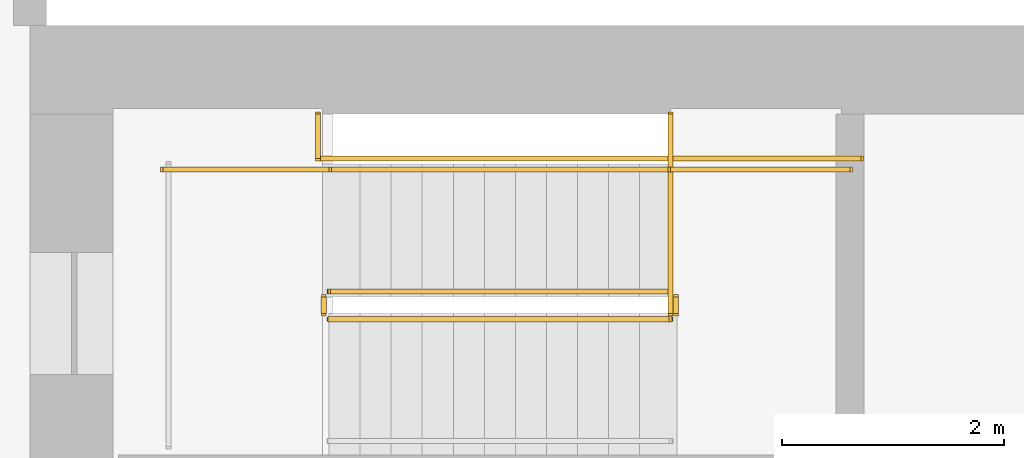
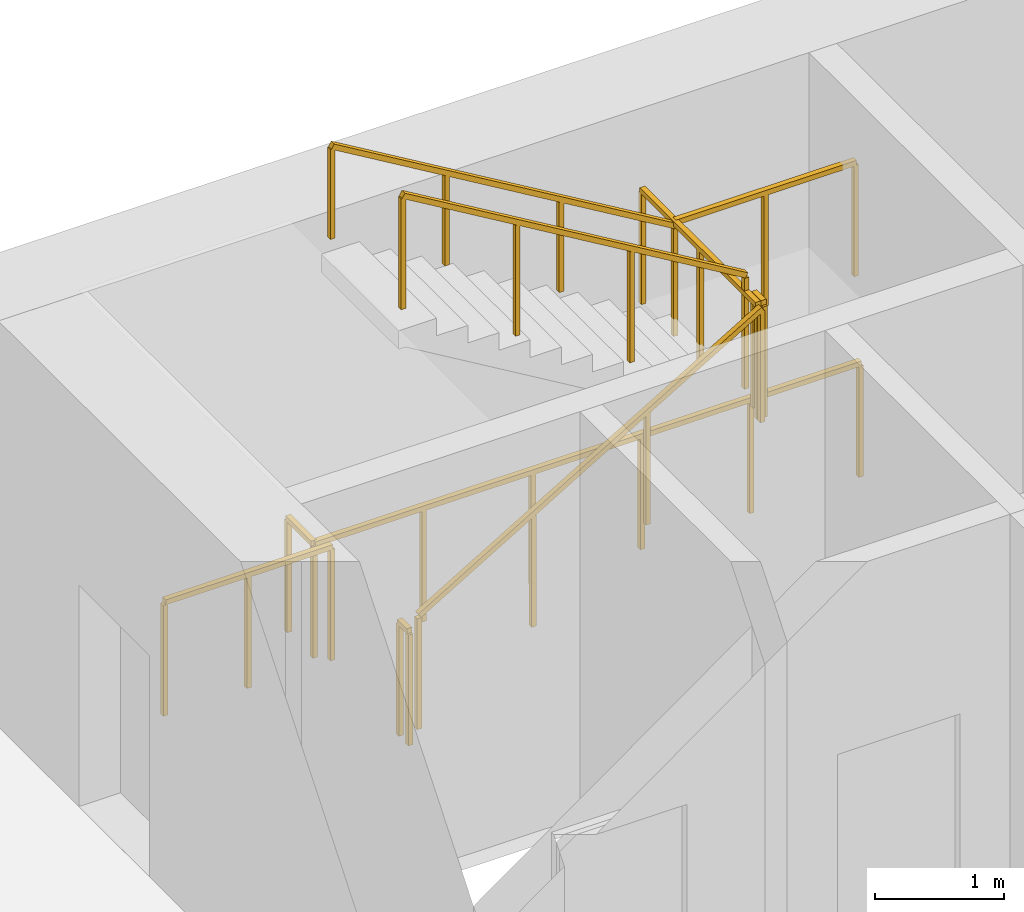
# One storey, part 12 of 12: 10 railings.
"""IFC4 building model written with IfcOpenShell, lengths in metres."""

from ifc_helpers import new_model, si_unit, direction, frame, origin, origin_2d, place, context, subcontext, project, spatial, rectangle, extrude, material, type_object, element, save


model = new_model("IFC4")

# Units and contexts
model_context = context("Model", 3, precision=1e-05, world=origin(), true_north=direction((0.0, 1.0)))
body_context = subcontext(model_context, "Body", "Model", "MODEL_VIEW")
ifc_project = project(units=[si_unit("LENGTHUNIT", "METRE"), si_unit("AREAUNIT", "SQUARE_METRE"), si_unit("VOLUMEUNIT", "CUBIC_METRE"), si_unit("PLANEANGLEUNIT", "RADIAN"), si_unit("MASSUNIT", "GRAM", prefix="KILO")], contexts=[model_context])

# Site, building, storey
site_placement = place(None, origin())
site = spatial("IfcSite", under=ifc_project, at=site_placement, CompositionType="ELEMENT")
building_placement = place(site_placement, origin())
building = spatial("IfcBuilding", under=site, at=building_placement, Name="Sennacour Bend Tower", CompositionType="ELEMENT")
storey_placement = place(building_placement, frame((0.0, 0.0, 269.0)))
storey = spatial("IfcBuildingStorey", under=building, at=storey_placement, Name="L62", CompositionType="ELEMENT", Elevation=269.0)

# Railings
ifc_material = material(Name="Stainless steel", Category="steel")
railing_type_1 = type_object("IfcRailingType", Name="RL-GUARD-1100", PredefinedType="GUARDRAIL", material=ifc_material)
railing_1_placement = place(storey_placement, frame((56.699951171875, 19.85009765625, 0.166748046875)))
element("IfcRailing", 1, at=railing_1_placement, inside=storey, type_object=railing_type_1, Name="L62 SA2 stair guard 1", PredefinedType="GUARDRAIL", context=body_context, shape_type="SweptSolid", body=[
    extrude(rectangle(XDim=0.048095703125, YDim=0.048095703125, at=origin_2d()), frame((0.0, 0.0, 1.076171875), z_axis=(0.859308565015, 0.0, 0.511457515432), x_axis=(0.0, 1.0, 0.0)), (0.0, 0.0, 1.0), 3.58447265625),
    extrude(rectangle(XDim=0.0419921875, YDim=0.0419921875, at=origin_2d()), origin(), (0.0, 0.0, 1.0), 1.052001953125),
    extrude(rectangle(XDim=0.0419921875, YDim=0.0419921875, at=origin_2d()), frame((1.026611328125, 0.0, 0.611083984375)), (0.0, 0.0, 1.0), 1.052001953125),
    extrude(rectangle(XDim=0.0419921875, YDim=0.0419921875, at=origin_2d()), frame((2.053466796875, 0.0, 1.22216796875)), (0.0, 0.0, 1.0), 1.052001953125),
    extrude(rectangle(XDim=0.0419921875, YDim=0.0419921875, at=origin_2d()), frame((3.080078125, 0.0, 1.833251953125)), (0.0, 0.0, 1.0), 1.052001953125),
])
railing_2_placement = place(storey_placement, frame((59.830078125, 19.89990234375, 2.0)))
element("IfcRailing", 2, at=railing_2_placement, inside=storey, type_object=railing_type_1, Name="L62 SA2 stair guard 2", PredefinedType="GUARDRAIL", context=body_context, shape_type="SweptSolid", body=[
    extrude(rectangle(XDim=0.048095703125, YDim=0.048095703125, at=origin_2d()), frame((0.0, 0.0, 1.076171875), z_axis=(0.0, 1.0, 0.0), x_axis=(-1.0, 0.0, 0.0)), (0.0, 0.0, 1.0), 0.150146484375),
    extrude(rectangle(XDim=0.0419921875, YDim=0.0419921875, at=origin_2d()), origin(), (0.0, 0.0, 1.0), 1.052001953125),
    extrude(rectangle(XDim=0.0419921875, YDim=0.0419921875, at=origin_2d()), frame((0.0, 0.150146484375, 0.0)), (0.0, 0.0, 1.0), 1.052001953125),
])
railing_3_placement = place(storey_placement, frame((59.780029296875, 21.199951171875, 2.0)))
element("IfcRailing", 3, at=railing_3_placement, inside=storey, type_object=railing_type_1, Name="L62 SA2 stair guard 3", PredefinedType="GUARDRAIL", context=body_context, shape_type="SweptSolid", body=[
    extrude(rectangle(XDim=0.048095703125, YDim=0.048095703125, at=origin_2d()), frame((0.0, 0.0, 1.076171875), z_axis=(1.0, 0.0, 0.0), x_axis=(0.0, 1.0, 0.0)), (0.0, 0.0, 1.0), 1.619873046875),
    extrude(rectangle(XDim=0.0419921875, YDim=0.0419921875, at=origin_2d()), origin(), (0.0, 0.0, 1.0), 1.052001953125),
    extrude(rectangle(XDim=0.0419921875, YDim=0.0419921875, at=origin_2d()), frame((0.81005859375, 0.0, 0.0)), (0.0, 0.0, 1.0), 1.052001953125),
    extrude(rectangle(XDim=0.0419921875, YDim=0.0419921875, at=origin_2d()), frame((1.619873046875, 0.0, 0.0)), (0.0, 0.0, 1.0), 1.052001953125),
])
railing_4_placement = place(storey_placement, frame((59.780029296875, 20.10009765625, 2.166748046875)))
element("IfcRailing", 4, at=railing_4_placement, inside=storey, type_object=railing_type_1, Name="L62 SA2 stair guard 4", PredefinedType="GUARDRAIL", context=body_context, shape_type="SweptSolid", body=[
    extrude(rectangle(XDim=0.048095703125, YDim=0.048095703125, at=origin_2d()), frame((0.0, 0.0, 1.076171875), z_axis=(-0.859308565015, 0.0, 0.511457515432), x_axis=(0.0, -1.0, 0.0)), (0.0, 0.0, 1.0), 3.58447265625),
    extrude(rectangle(XDim=0.0419921875, YDim=0.0419921875, at=origin_2d()), origin(), (0.0, 0.0, 1.0), 1.052001953125),
    extrude(rectangle(XDim=0.0419921875, YDim=0.0419921875, at=origin_2d()), frame((-1.026611328125, 0.0, 0.611083984375)), (0.0, 0.0, 1.0), 1.052001953125),
    extrude(rectangle(XDim=0.0419921875, YDim=0.0419921875, at=origin_2d()), frame((-2.053466796875, 0.0, 1.22216796875)), (0.0, 0.0, 1.0), 1.052001953125),
    extrude(rectangle(XDim=0.0419921875, YDim=0.0419921875, at=origin_2d()), frame((-3.080078125, 0.0, 1.833251953125)), (0.0, 0.0, 1.0), 1.052001953125),
])
railing_5_placement = place(storey_placement, frame((56.64990234375, 19.89990234375, 0.0)))
element("IfcRailing", 5, at=railing_5_placement, inside=storey, type_object=railing_type_1, Name="L62 SA2 stair guard 5", PredefinedType="GUARDRAIL", context=body_context, shape_type="SweptSolid", body=[
    extrude(rectangle(XDim=0.048095703125, YDim=0.048095703125, at=origin_2d()), frame((0.0, 0.0, 1.076171875), z_axis=(0.0, 1.0, 0.0), x_axis=(-1.0, 0.0, 0.0)), (0.0, 0.0, 1.0), 0.150146484375),
    extrude(rectangle(XDim=0.0419921875, YDim=0.0419921875, at=origin_2d()), origin(), (0.0, 0.0, 1.0), 1.052001953125),
    extrude(rectangle(XDim=0.0419921875, YDim=0.0419921875, at=origin_2d()), frame((0.0, 0.150146484375, 0.0)), (0.0, 0.0, 1.0), 1.052001953125),
])
railing_6_placement = place(storey_placement, frame((55.199951171875, 21.199951171875, 0.0)))
element("IfcRailing", 6, at=railing_6_placement, inside=storey, type_object=railing_type_1, Name="L62 SA2 stair guard 6", PredefinedType="GUARDRAIL", context=body_context, shape_type="SweptSolid", body=[
    extrude(rectangle(XDim=0.048095703125, YDim=0.048095703125, at=origin_2d()), frame((0.0, 0.0, 1.076171875), z_axis=(1.0, 0.0, 0.0), x_axis=(0.0, 1.0, 0.0)), (0.0, 0.0, 1.0), 1.5),
    extrude(rectangle(XDim=0.0419921875, YDim=0.0419921875, at=origin_2d()), origin(), (0.0, 0.0, 1.0), 1.052001953125),
    extrude(rectangle(XDim=0.0419921875, YDim=0.0419921875, at=origin_2d()), frame((0.75, 0.0, 0.0)), (0.0, 0.0, 1.0), 1.052001953125),
    extrude(rectangle(XDim=0.0419921875, YDim=0.0419921875, at=origin_2d()), frame((1.5, 0.0, 0.0)), (0.0, 0.0, 1.0), 1.052001953125),
])
railing_7_placement = place(storey_placement, frame((56.60009765625, 21.300048828125, 0.0)))
element("IfcRailing", 7, at=railing_7_placement, inside=storey, type_object=railing_type_1, Name="L62 SA2 stair guard 8", PredefinedType="GUARDRAIL", context=body_context, shape_type="SweptSolid", body=[
    extrude(rectangle(XDim=0.048095703125, YDim=0.048095703125, at=origin_2d()), frame((0.0, 0.0, 1.076171875), z_axis=(1.0, 0.0, 0.0), x_axis=(0.0, 1.0, 0.0)), (0.0, 0.0, 1.0), 4.89990234375),
    extrude(rectangle(XDim=0.0419921875, YDim=0.0419921875, at=origin_2d()), origin(), (0.0, 0.0, 1.0), 1.052001953125),
    extrude(rectangle(XDim=0.0419921875, YDim=0.0419921875, at=origin_2d()), frame((0.97998046875, 0.0, 0.0)), (0.0, 0.0, 1.0), 1.052001953125),
    extrude(rectangle(XDim=0.0419921875, YDim=0.0419921875, at=origin_2d()), frame((1.9599609375, 0.0, 0.0)), (0.0, 0.0, 1.0), 1.052001953125),
    extrude(rectangle(XDim=0.0419921875, YDim=0.0419921875, at=origin_2d()), frame((2.93994140625, 0.0, 0.0)), (0.0, 0.0, 1.0), 1.052001953125),
    extrude(rectangle(XDim=0.0419921875, YDim=0.0419921875, at=origin_2d()), frame((3.919921875, 0.0, 0.0)), (0.0, 0.0, 1.0), 1.052001953125),
    extrude(rectangle(XDim=0.0419921875, YDim=0.0419921875, at=origin_2d()), frame((4.89990234375, 0.0, 0.0)), (0.0, 0.0, 1.0), 1.052001953125),
])
railing_8_placement = place(storey_placement, frame((59.780029296875, 19.89990234375, 2.0)))
element("IfcRailing", 8, at=railing_8_placement, inside=storey, type_object=railing_type_1, Name="L62 SA2 landing edge guard 82", PredefinedType="GUARDRAIL", context=body_context, shape_type="SweptSolid", body=[
    extrude(rectangle(XDim=0.048095703125, YDim=0.048095703125, at=origin_2d()), frame((0.0, 0.0, 1.076171875), z_axis=(0.0, 1.0, 0.0), x_axis=(-1.0, 0.0, 0.0)), (0.0, 0.0, 1.0), 1.800048828125),
    extrude(rectangle(XDim=0.0419921875, YDim=0.0419921875, at=origin_2d()), origin(), (0.0, 0.0, 1.0), 1.052001953125),
    extrude(rectangle(XDim=0.0419921875, YDim=0.0419921875, at=origin_2d()), frame((0.0, 0.89990234375, 0.0)), (0.0, 0.0, 1.0), 1.052001953125),
    extrude(rectangle(XDim=0.0419921875, YDim=0.0419921875, at=origin_2d()), frame((0.0, 1.800048828125, 0.0)), (0.0, 0.0, 1.0), 1.052001953125),
])
railing_9_placement = place(storey_placement, frame((56.60009765625, 21.300048828125, 0.0)))
element("IfcRailing", 9, at=railing_9_placement, inside=storey, type_object=railing_type_1, Name="L62 SA2 landing edge guard 116", PredefinedType="GUARDRAIL", context=body_context, shape_type="SweptSolid", body=[
    extrude(rectangle(XDim=0.048095703125, YDim=0.048095703125, at=origin_2d()), frame((0.0, 0.0, 1.076171875), z_axis=(0.0, 1.0, 0.0), x_axis=(-1.0, 0.0, 0.0)), (0.0, 0.0, 1.0), 0.39990234375),
    extrude(rectangle(XDim=0.0419921875, YDim=0.0419921875, at=origin_2d()), origin(), (0.0, 0.0, 1.0), 1.052001953125),
    extrude(rectangle(XDim=0.0419921875, YDim=0.0419921875, at=origin_2d()), frame((0.0, 0.39990234375, 0.0)), (0.0, 0.0, 1.0), 1.052001953125),
])
railing_type_2 = type_object("IfcRailingType", Name="RL-HANDRAIL-900", PredefinedType="HANDRAIL", material=ifc_material)
railing_10_placement = place(storey_placement, frame((59.780029296875, 21.199951171875, 2.166748046875)))
element("IfcRailing", 10, at=railing_10_placement, inside=storey, type_object=railing_type_2, Name="L62 SA2 stair handrail 2", PredefinedType="HANDRAIL", context=body_context, shape_type="SweptSolid", body=[
    extrude(rectangle(XDim=0.048095703125, YDim=0.048095703125, at=origin_2d()), frame((0.0, 0.0, 0.8759765625), z_axis=(-0.859308565015, 0.0, 0.511457515432), x_axis=(0.0, -1.0, 0.0)), (0.0, 0.0, 1.0), 3.58447265625),
    extrude(rectangle(XDim=0.0419921875, YDim=0.0419921875, at=origin_2d()), origin(), (0.0, 0.0, 1.0), 0.851806640625),
    extrude(rectangle(XDim=0.0419921875, YDim=0.0419921875, at=origin_2d()), frame((-1.026611328125, 0.0, 0.611083984375)), (0.0, 0.0, 1.0), 0.851806640625),
    extrude(rectangle(XDim=0.0419921875, YDim=0.0419921875, at=origin_2d()), frame((-2.053466796875, 0.0, 1.22216796875)), (0.0, 0.0, 1.0), 0.851806640625),
    extrude(rectangle(XDim=0.0419921875, YDim=0.0419921875, at=origin_2d()), frame((-3.080078125, 0.0, 1.833251953125)), (0.0, 0.0, 1.0), 0.851806640625),
])

save(model, "model.ifc")
